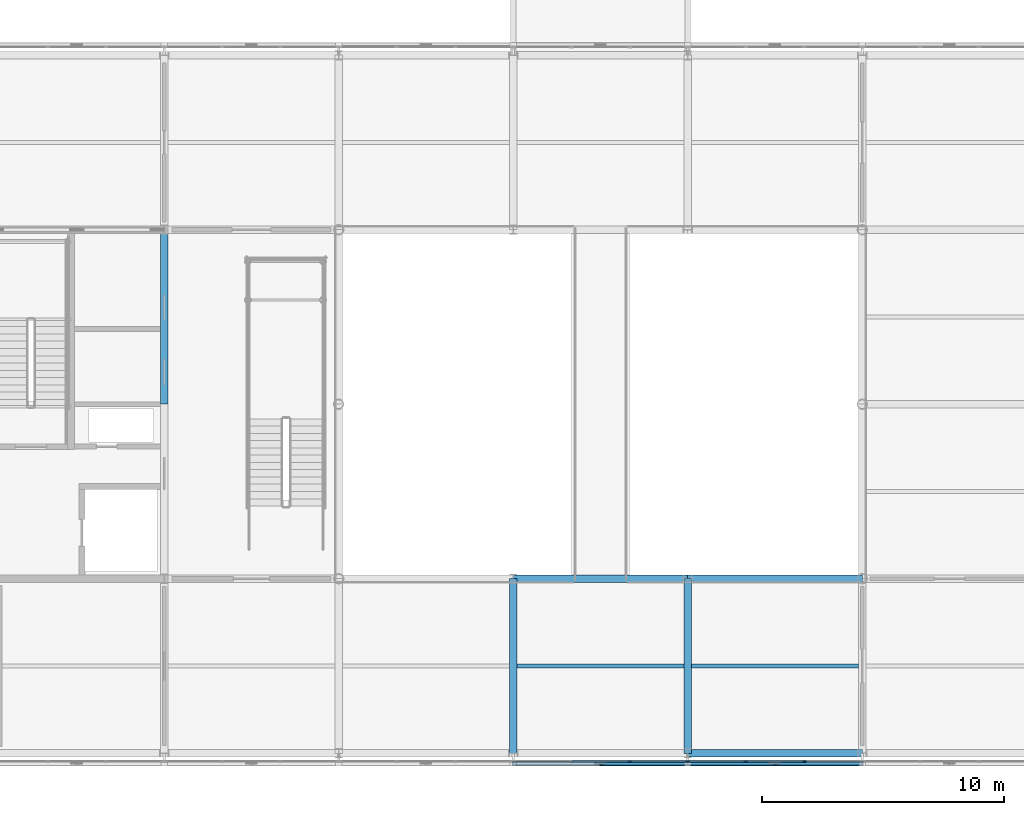
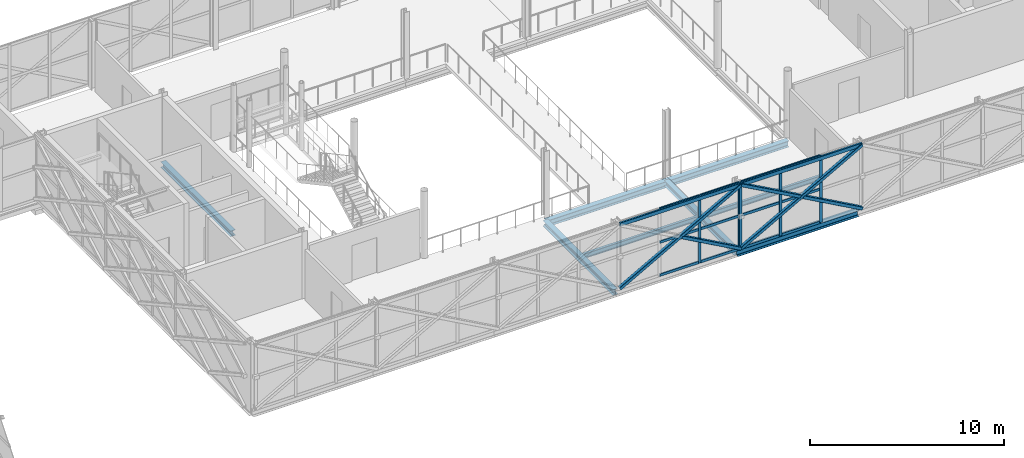
# One storey, part 32 of 126: 24 members, 8 beams, 2 elements without a shape of their own.
"""IFC4 building model written with IfcOpenShell, lengths in metres."""

from ifc_helpers import new_model, si_unit, direction, frame, origin, origin_2d, place, context, subcontext, project, spatial, rectangle, hollow_rectangle, i_section, extrude, material, material_profile, profile_set, type_object, element, aggregate, save


model = new_model("IFC4")

# Units and contexts
model_context = context("Model", 3, precision=1e-05, world=origin(), true_north=direction((0.0, 1.0)))
body_context = subcontext(model_context, "Body", "Model", "MODEL_VIEW")
ifc_project = project(units=[si_unit("LENGTHUNIT", "METRE"), si_unit("AREAUNIT", "SQUARE_METRE"), si_unit("VOLUMEUNIT", "CUBIC_METRE"), si_unit("PLANEANGLEUNIT", "RADIAN"), si_unit("MASSUNIT", "GRAM", prefix="KILO")], contexts=[model_context])

# Site, building, storey
site_placement = place(None, origin())
site = spatial("IfcSite", under=ifc_project, at=site_placement, CompositionType="ELEMENT")
building_placement = place(site_placement, origin())
building = spatial("IfcBuilding", under=site, at=building_placement, Name="Zlatovets Crest Museum", CompositionType="ELEMENT")
storey_placement = place(building_placement, frame((0.0, 0.0, 8.699951171875)))
storey = spatial("IfcBuildingStorey", under=building, at=storey_placement, Name="L02", CompositionType="ELEMENT", Elevation=8.699951171875)

# Beams
ifc_material_1 = material(Name="Structural steel S355J2", Category="steel")
ifc_material_profile_1 = material_profile(ifc_material_1, i_section(OverallWidth=0.300048828125, OverallDepth=0.389892578125, WebThickness=0.010986328125, FlangeThickness=0.01904296875, FilletRadius=0.027099609375, at=origin_2d()), Name="HEA 400")
ifc_profile_set_1 = profile_set([ifc_material_profile_1], Name="Structural steel S355J2")
beam_type_1 = type_object("IfcBeamType", Name="Beam_B-02", PredefinedType="BEAM", material=ifc_profile_set_1)
beam_1_placement = place(storey_placement, frame((86.39990234375, 0.0, -0.4150390625), z_axis=(1.0, 0.0, 0.0), x_axis=(0.0, 1.0, 0.0)))
element("IfcBeam", 1, at=beam_1_placement, inside=storey, type_object=beam_type_1, Name="V2 L02 Primary Girder B-02", PredefinedType="BEAM", context=body_context, shape_type="SweptSolid", body=[
    extrude(i_section(OverallWidth=0.300048828125, OverallDepth=0.389892578125, WebThickness=0.010986328125, FlangeThickness=0.01904296875, FilletRadius=0.027099609375, at=origin_2d()), origin(), (0.0, 0.0, 1.0), 7.2001953125),
])
beam_2_placement = place(storey_placement, frame((79.199951171875, 7.199951171875, -0.4150390625), z_axis=(1.0, 0.0, 0.0), x_axis=(0.0, 1.0, 0.0)))
element("IfcBeam", 2, at=beam_2_placement, inside=storey, type_object=beam_type_1, Name="V2 L02 Primary Girder B-02", PredefinedType="BEAM", context=body_context, shape_type="SweptSolid", body=[
    extrude(i_section(OverallWidth=0.300048828125, OverallDepth=0.389892578125, WebThickness=0.010986328125, FlangeThickness=0.01904296875, FilletRadius=0.027099609375, at=origin_2d()), origin(), (0.0, 0.0, 1.0), 7.199951171875),
])
beam_3_placement = place(storey_placement, frame((86.39990234375, 7.199951171875, -0.4150390625), z_axis=(1.0, 0.0, 0.0), x_axis=(0.0, 1.0, 0.0)))
element("IfcBeam", 3, at=beam_3_placement, inside=storey, type_object=beam_type_1, Name="V2 L02 Primary Girder B-02", PredefinedType="BEAM", context=body_context, shape_type="SweptSolid", body=[
    extrude(i_section(OverallWidth=0.300048828125, OverallDepth=0.389892578125, WebThickness=0.010986328125, FlangeThickness=0.01904296875, FilletRadius=0.027099609375, at=origin_2d()), origin(), (0.0, 0.0, 1.0), 7.2001953125),
])
ifc_material_profile_2 = material_profile(ifc_material_1, i_section(OverallWidth=0.300048828125, OverallDepth=0.35009765625, WebThickness=0.010009765625, FlangeThickness=0.017578125, FilletRadius=0.027099609375, at=origin_2d()), Name="HEA 360")
ifc_profile_set_2 = profile_set([ifc_material_profile_2], Name="Structural steel S355J2")
beam_type_2 = type_object("IfcBeamType", Name="Beam_B-03", PredefinedType="BEAM", material=ifc_profile_set_2)
beam_4_placement = place(storey_placement, frame((64.800048828125, 14.39990234375, -0.39501953125), z_axis=(0.0, 1.0, 0.0), x_axis=(-1.0, 0.0, 0.0)))
element("IfcBeam", 4, at=beam_4_placement, inside=storey, type_object=beam_type_2, Name="V2 L02 Grid Beam B-03", PredefinedType="BEAM", context=body_context, shape_type="SweptSolid", body=[
    extrude(i_section(OverallWidth=0.300048828125, OverallDepth=0.35009765625, WebThickness=0.010009765625, FlangeThickness=0.017578125, FilletRadius=0.027099609375, at=origin_2d()), origin(), (0.0, 0.0, 1.0), 7.2001953125),
])
for number, where, z_axis, x_axis, name in (
    (5, (79.199951171875, 0.0, -0.39501953125), (0.0, 1.0, 0.0), (-1.0, 0.0, 0.0), "V2 L02 Grid Beam B-03"),
    (6, (86.39990234375, 0.0, -0.39501953125), (0.0, 1.0, 0.0), (-1.0, 0.0, 0.0), "V2 L02 Grid Beam B-03"),
):
    element("IfcBeam", number, at=place(storey_placement, frame(where, z_axis=z_axis, x_axis=x_axis)), inside=storey, type_object=beam_type_2, Name=name, PredefinedType="BEAM", context=body_context, shape_type="SweptSolid", body=[
        extrude(i_section(OverallWidth=0.300048828125, OverallDepth=0.35009765625, WebThickness=0.010009765625, FlangeThickness=0.017578125, FilletRadius=0.027099609375, at=origin_2d()), origin(), (0.0, 0.0, 1.0), 7.199951171875),
    ])
ifc_material_profile_3 = material_profile(ifc_material_1, i_section(OverallWidth=0.14990234375, OverallDepth=0.300048828125, WebThickness=0.007080078125, FlangeThickness=0.0107421875, FilletRadius=0.014892578125, at=origin_2d()), Name="IPE 300")
ifc_profile_set_3 = profile_set([ifc_material_profile_3], Name="Structural steel S355J2")
beam_type_3 = type_object("IfcBeamType", Name="Beam_J-02", PredefinedType="JOIST", material=ifc_profile_set_3)
for number, where, z_axis, x_axis, name in (
    (7, (79.35009765625, 3.60009765625, -0.369873046875), (1.0, 0.0, 0.0), (0.0, 1.0, 0.0), "V2 L02 Composite Joist J-02"),
    (8, (86.550048828125, 3.60009765625, -0.369873046875), (1.0, 0.0, 0.0), (0.0, 1.0, 0.0), "V2 L02 Composite Joist J-02"),
):
    element("IfcBeam", number, at=place(storey_placement, frame(where, z_axis=z_axis, x_axis=x_axis)), inside=storey, type_object=beam_type_3, Name=name, PredefinedType="JOIST", context=body_context, shape_type="SweptSolid", body=[
        extrude(i_section(OverallWidth=0.14990234375, OverallDepth=0.300048828125, WebThickness=0.007080078125, FlangeThickness=0.0107421875, FilletRadius=0.014892578125, at=origin_2d()), origin(), (0.0, 0.0, 1.0), 6.89990234375),
    ])

# Curtain wall, members
ifc_material_2 = material(Name="Bronze-anodised aluminium and low-E triple glass", Category="aluminium")
curtain_wall_type_1 = type_object("IfcCurtainWallType", Name="CW_CW-V2-L02-M3", PredefinedType="NOTDEFINED", material=ifc_material_2)
curtain_wall_1_placement = place(storey_placement, origin())
curtain_wall_1 = element("IfcCurtainWall", 9, at=curtain_wall_1_placement, inside=storey, type_object=curtain_wall_type_1, Name="V2 L02 Secession Foyer Clear Curtain Wall", PredefinedType="NOTDEFINED")
ifc_material_3 = material(Name="Bronze-anodised aluminium EN AW-6060", Category="aluminium")
ifc_material_profile_4 = material_profile(ifc_material_3, rectangle(XDim=0.080078125, YDim=0.159912109375, at=origin_2d()), Name="ALU 80x160")
ifc_profile_set_4 = profile_set([ifc_material_profile_4], Name="Bronze-anodised aluminium EN AW-6060")
member_type_1 = type_object("IfcMemberType", Name="CWMull_M1", PredefinedType="MULLION", material=ifc_profile_set_4)
member_1_placement = place(storey_placement, frame((84.0, -0.340087890625, 0.0), z_axis=(0.0, 0.0, 1.0), x_axis=(0.0, 1.0, 0.0)))
member_1 = element("IfcMember", 10, at=member_1_placement, type_object=member_type_1, Name="CW-V2-L02-M3 mullion 3", PredefinedType="MULLION", context=body_context, shape_type="SweptSolid", body=[
    extrude(rectangle(XDim=0.080078125, YDim=0.159912109375, at=origin_2d()), origin(), (0.0, 0.0, 1.0), 4.199951171875),
])
member_2_placement = place(storey_placement, frame((86.3701171875, -0.340087890625, 0.0), z_axis=(0.0, 0.0, 1.0), x_axis=(0.0, 1.0, 0.0)))
member_2 = element("IfcMember", 11, at=member_2_placement, type_object=member_type_1, Name="CW-V2-L02-M3 mullion 4", PredefinedType="MULLION", context=body_context, shape_type="SweptSolid", body=[
    extrude(rectangle(XDim=0.080078125, YDim=0.159912109375, at=origin_2d()), origin(), (0.0, 0.0, 1.0), 4.199951171875),
])

curtain_wall_type_2 = type_object("IfcCurtainWallType", Name="CW_CW-V2-L02-M0", PredefinedType="NOTDEFINED", material=ifc_material_2)
curtain_wall_2_placement = place(storey_placement, origin())
curtain_wall_2 = element("IfcCurtainWall", 12, at=curtain_wall_2_placement, inside=storey, type_object=curtain_wall_type_2, Name="V2 L02 Secession Foyer Clear Curtain Wall", PredefinedType="NOTDEFINED")
member_3_placement = place(storey_placement, frame((86.429931640625, -0.340087890625, 0.0), z_axis=(0.0, 0.0, 1.0), x_axis=(0.0, 1.0, 0.0)))
member_3 = element("IfcMember", 13, at=member_3_placement, type_object=member_type_1, Name="CW-V2-L02-M0 mullion 1", PredefinedType="MULLION", context=body_context, shape_type="SweptSolid", body=[
    extrude(rectangle(XDim=0.080078125, YDim=0.159912109375, at=origin_2d()), origin(), (0.0, 0.0, 1.0), 4.199951171875),
])
member_4_placement = place(storey_placement, frame((88.800048828125, -0.340087890625, 0.0), z_axis=(0.0, 0.0, 1.0), x_axis=(0.0, 1.0, 0.0)))
member_4 = element("IfcMember", 14, at=member_4_placement, type_object=member_type_1, Name="CW-V2-L02-M0 mullion 2", PredefinedType="MULLION", context=body_context, shape_type="SweptSolid", body=[
    extrude(rectangle(XDim=0.080078125, YDim=0.159912109375, at=origin_2d()), origin(), (0.0, 0.0, 1.0), 4.199951171875),
])
member_5_placement = place(storey_placement, frame((91.199951171875, -0.340087890625, 0.0), z_axis=(0.0, 0.0, 1.0), x_axis=(0.0, 1.0, 0.0)))
member_5 = element("IfcMember", 15, at=member_5_placement, type_object=member_type_1, Name="CW-V2-L02-M0 mullion 3", PredefinedType="MULLION", context=body_context, shape_type="SweptSolid", body=[
    extrude(rectangle(XDim=0.080078125, YDim=0.159912109375, at=origin_2d()), origin(), (0.0, 0.0, 1.0), 4.199951171875),
])

# Member
ifc_material_profile_5 = material_profile(ifc_material_3, rectangle(XDim=0.080078125, YDim=0.159912109375, at=origin_2d()), Name="ALU 80x160")
ifc_profile_set_5 = profile_set([ifc_material_profile_5], Name="Bronze-anodised aluminium EN AW-6060")
member_type_2 = type_object("IfcMemberType", Name="CWTrans_T1", PredefinedType="USERDEFINED", material=ifc_profile_set_5)
member_6_placement = place(storey_placement, frame((81.6298828125, -0.340087890625, 0.030029296875), z_axis=(1.0, 0.0, 0.0), x_axis=(0.0, 1.0, 0.0)))
member_6 = element("IfcMember", 16, at=member_6_placement, type_object=member_type_2, Name="CW-V2-L02-M3 transom 2.1", ObjectType="TRANSOM", PredefinedType="USERDEFINED", context=body_context, shape_type="SweptSolid", body=[
    extrude(rectangle(XDim=0.080078125, YDim=0.159912109375, at=origin_2d()), origin(), (0.0, 0.0, 1.0), 2.340087890625),
])

member_7_placement = place(storey_placement, frame((81.6298828125, -0.340087890625, 2.10009765625), z_axis=(1.0, 0.0, 0.0), x_axis=(0.0, 1.0, 0.0)))
member_7 = element("IfcMember", 17, at=member_7_placement, type_object=member_type_2, Name="CW-V2-L02-M3 transom 2.2", ObjectType="TRANSOM", PredefinedType="USERDEFINED", context=body_context, shape_type="SweptSolid", body=[
    extrude(rectangle(XDim=0.080078125, YDim=0.159912109375, at=origin_2d()), origin(), (0.0, 0.0, 1.0), 2.340087890625),
])

member_8_placement = place(storey_placement, frame((81.6298828125, -0.340087890625, 4.170166015625), z_axis=(1.0, 0.0, 0.0), x_axis=(0.0, 1.0, 0.0)))
member_8 = element("IfcMember", 18, at=member_8_placement, type_object=member_type_2, Name="CW-V2-L02-M3 transom 2.3", ObjectType="TRANSOM", PredefinedType="USERDEFINED", context=body_context, shape_type="SweptSolid", body=[
    extrude(rectangle(XDim=0.080078125, YDim=0.159912109375, at=origin_2d()), origin(), (0.0, 0.0, 1.0), 2.340087890625),
])

member_9_placement = place(storey_placement, frame((84.030029296875, -0.340087890625, 0.030029296875), z_axis=(1.0, 0.0, 0.0), x_axis=(0.0, 1.0, 0.0)))
member_9 = element("IfcMember", 19, at=member_9_placement, type_object=member_type_2, Name="CW-V2-L02-M3 transom 3.1", ObjectType="TRANSOM", PredefinedType="USERDEFINED", context=body_context, shape_type="SweptSolid", body=[
    extrude(rectangle(XDim=0.080078125, YDim=0.159912109375, at=origin_2d()), origin(), (0.0, 0.0, 1.0), 2.31005859375),
])

member_10_placement = place(storey_placement, frame((84.030029296875, -0.340087890625, 2.10009765625), z_axis=(1.0, 0.0, 0.0), x_axis=(0.0, 1.0, 0.0)))
member_10 = element("IfcMember", 20, at=member_10_placement, type_object=member_type_2, Name="CW-V2-L02-M3 transom 3.2", ObjectType="TRANSOM", PredefinedType="USERDEFINED", context=body_context, shape_type="SweptSolid", body=[
    extrude(rectangle(XDim=0.080078125, YDim=0.159912109375, at=origin_2d()), origin(), (0.0, 0.0, 1.0), 2.31005859375),
])

member_11_placement = place(storey_placement, frame((84.030029296875, -0.340087890625, 4.170166015625), z_axis=(1.0, 0.0, 0.0), x_axis=(0.0, 1.0, 0.0)))
member_11 = element("IfcMember", 21, at=member_11_placement, type_object=member_type_2, Name="CW-V2-L02-M3 transom 3.3", ObjectType="TRANSOM", PredefinedType="USERDEFINED", context=body_context, shape_type="SweptSolid", body=[
    extrude(rectangle(XDim=0.080078125, YDim=0.159912109375, at=origin_2d()), origin(), (0.0, 0.0, 1.0), 2.31005859375),
])

aggregate(curtain_wall_1, [member_1, member_2, member_6, member_7, member_8, member_9, member_10, member_11])

member_12_placement = place(storey_placement, frame((86.4599609375, -0.340087890625, 0.030029296875), z_axis=(1.0, 0.0, 0.0), x_axis=(0.0, 1.0, 0.0)))
member_12 = element("IfcMember", 22, at=member_12_placement, type_object=member_type_2, Name="CW-V2-L02-M0 transom 1.1", ObjectType="TRANSOM", PredefinedType="USERDEFINED", context=body_context, shape_type="SweptSolid", body=[
    extrude(rectangle(XDim=0.080078125, YDim=0.159912109375, at=origin_2d()), origin(), (0.0, 0.0, 1.0), 2.31005859375),
])

member_13_placement = place(storey_placement, frame((86.4599609375, -0.340087890625, 2.10009765625), z_axis=(1.0, 0.0, 0.0), x_axis=(0.0, 1.0, 0.0)))
member_13 = element("IfcMember", 23, at=member_13_placement, type_object=member_type_2, Name="CW-V2-L02-M0 transom 1.2", ObjectType="TRANSOM", PredefinedType="USERDEFINED", context=body_context, shape_type="SweptSolid", body=[
    extrude(rectangle(XDim=0.080078125, YDim=0.159912109375, at=origin_2d()), origin(), (0.0, 0.0, 1.0), 2.31005859375),
])

member_14_placement = place(storey_placement, frame((86.4599609375, -0.340087890625, 4.170166015625), z_axis=(1.0, 0.0, 0.0), x_axis=(0.0, 1.0, 0.0)))
member_14 = element("IfcMember", 24, at=member_14_placement, type_object=member_type_2, Name="CW-V2-L02-M0 transom 1.3", ObjectType="TRANSOM", PredefinedType="USERDEFINED", context=body_context, shape_type="SweptSolid", body=[
    extrude(rectangle(XDim=0.080078125, YDim=0.159912109375, at=origin_2d()), origin(), (0.0, 0.0, 1.0), 2.31005859375),
])

member_15_placement = place(storey_placement, frame((88.830078125, -0.340087890625, 0.030029296875), z_axis=(1.0, 0.0, 0.0), x_axis=(0.0, 1.0, 0.0)))
member_15 = element("IfcMember", 25, at=member_15_placement, type_object=member_type_2, Name="CW-V2-L02-M0 transom 2.1", ObjectType="TRANSOM", PredefinedType="USERDEFINED", context=body_context, shape_type="SweptSolid", body=[
    extrude(rectangle(XDim=0.080078125, YDim=0.159912109375, at=origin_2d()), origin(), (0.0, 0.0, 1.0), 2.33984375),
])

member_16_placement = place(storey_placement, frame((88.830078125, -0.340087890625, 2.10009765625), z_axis=(1.0, 0.0, 0.0), x_axis=(0.0, 1.0, 0.0)))
member_16 = element("IfcMember", 26, at=member_16_placement, type_object=member_type_2, Name="CW-V2-L02-M0 transom 2.2", ObjectType="TRANSOM", PredefinedType="USERDEFINED", context=body_context, shape_type="SweptSolid", body=[
    extrude(rectangle(XDim=0.080078125, YDim=0.159912109375, at=origin_2d()), origin(), (0.0, 0.0, 1.0), 2.33984375),
])

member_17_placement = place(storey_placement, frame((88.830078125, -0.340087890625, 4.170166015625), z_axis=(1.0, 0.0, 0.0), x_axis=(0.0, 1.0, 0.0)))
member_17 = element("IfcMember", 27, at=member_17_placement, type_object=member_type_2, Name="CW-V2-L02-M0 transom 2.3", ObjectType="TRANSOM", PredefinedType="USERDEFINED", context=body_context, shape_type="SweptSolid", body=[
    extrude(rectangle(XDim=0.080078125, YDim=0.159912109375, at=origin_2d()), origin(), (0.0, 0.0, 1.0), 2.33984375),
])

aggregate(curtain_wall_2, [member_3, member_4, member_5, member_12, member_13, member_14, member_15, member_16, member_17])

# Members
ifc_material_4 = material(Name="Weathering bronze-steel S355J2W", Category="steel")
ifc_material_profile_6 = material_profile(ifc_material_4, hollow_rectangle(XDim=0.199951171875, YDim=0.199951171875, WallThickness=0.012451171875, InnerFilletRadius=0.012451171875, OuterFilletRadius=0.02490234375, at=origin_2d()), Name="SHS 200x200x12.5")
ifc_profile_set_6 = profile_set([ifc_material_profile_6], Name="Weathering bronze-steel S355J2W")
member_type_3 = type_object("IfcMemberType", Name="Lattice_XL-02", PredefinedType="BRACE", material=ifc_profile_set_6)
member_18_placement = place(storey_placement, frame((79.199951171875, -0.419921875, 0.10009765625), z_axis=(0.874155877937, 0.0, 0.485645447903), x_axis=(0.0, 1.0, 0.0)))
element("IfcMember", 28, at=member_18_placement, inside=storey, type_object=member_type_3, Name="Continuous Bronze Lattice Diagonal", PredefinedType="BRACE", context=body_context, shape_type="SweptSolid", body=[
    extrude(hollow_rectangle(XDim=0.199951171875, YDim=0.199951171875, WallThickness=0.012451171875, InnerFilletRadius=0.012451171875, OuterFilletRadius=0.02490234375, at=origin_2d()), origin(), (0.0, 0.0, 1.0), 8.236572265625),
])
member_19_placement = place(storey_placement, frame((82.883056640625, -0.419921875, 2.053955078125), z_axis=(0.874151551165, 0.0, -0.485653235958), x_axis=(0.0, 1.0, 0.0)))
element("IfcMember", 29, at=member_19_placement, inside=storey, type_object=member_type_3, Name="Split Crossing Bronze Lattice Diagonal Lower", PredefinedType="BRACE", context=body_context, shape_type="SweptSolid", body=[
    extrude(hollow_rectangle(XDim=0.199951171875, YDim=0.199951171875, WallThickness=0.012451171875, InnerFilletRadius=0.012451171875, OuterFilletRadius=0.02490234375, at=origin_2d()), origin(), (0.0, 0.0, 1.0), 4.023193359375),
])
member_20_placement = place(storey_placement, frame((86.39990234375, -0.419921875, 0.10009765625), z_axis=(0.874162868644, 0.0, 0.485632864501), x_axis=(0.0, 1.0, 0.0)))
element("IfcMember", 30, at=member_20_placement, inside=storey, type_object=member_type_3, Name="Continuous Bronze Lattice Diagonal", PredefinedType="BRACE", context=body_context, shape_type="SweptSolid", body=[
    extrude(hollow_rectangle(XDim=0.199951171875, YDim=0.199951171875, WallThickness=0.012451171875, InnerFilletRadius=0.012451171875, OuterFilletRadius=0.02490234375, at=origin_2d()), origin(), (0.0, 0.0, 1.0), 8.236572265625),
])
for number, where, z_axis, x_axis, name in (
    (31, (86.39990234375, -0.419921875, 4.10009765625), (0.874165862873, 0.0, -0.485627474703), (0.0, 1.0, 0.0), "Split Crossing Bronze Lattice Diagonal Upper"),
    (32, (90.0830078125, -0.419921875, 2.053955078125), (0.874165862873, 0.0, -0.485627474703), (0.0, 1.0, 0.0), "Split Crossing Bronze Lattice Diagonal Lower"),
):
    element("IfcMember", number, at=place(storey_placement, frame(where, z_axis=z_axis, x_axis=x_axis)), inside=storey, type_object=member_type_3, Name=name, PredefinedType="BRACE", context=body_context, shape_type="SweptSolid", body=[
        extrude(hollow_rectangle(XDim=0.199951171875, YDim=0.199951171875, WallThickness=0.012451171875, InnerFilletRadius=0.012451171875, OuterFilletRadius=0.02490234375, at=origin_2d()), origin(), (0.0, 0.0, 1.0), 4.0234375),
    ])
ifc_material_profile_7 = material_profile(ifc_material_4, hollow_rectangle(XDim=0.1201171875, YDim=0.239990234375, WallThickness=0.010009765625, InnerFilletRadius=0.010009765625, OuterFilletRadius=0.02001953125, at=origin_2d()), Name="RHS 120x240x10.0")
ifc_profile_set_7 = profile_set([ifc_material_profile_7], Name="Weathering bronze-steel S355J2W")
member_type_4 = type_object("IfcMemberType", Name="Lattice_XL-04", PredefinedType="CHORD", material=ifc_profile_set_7)
member_21_placement = place(storey_placement, frame((79.199951171875, -0.419921875, 4.10009765625), z_axis=(1.0, 0.0, 0.0), x_axis=(0.0, 1.0, 0.0)))
element("IfcMember", 33, at=member_21_placement, inside=storey, type_object=member_type_4, Name="Art Nouveau Woven Cage Collector Ring Chord", PredefinedType="CHORD", context=body_context, shape_type="SweptSolid", body=[
    extrude(hollow_rectangle(XDim=0.1201171875, YDim=0.239990234375, WallThickness=0.010009765625, InnerFilletRadius=0.010009765625, OuterFilletRadius=0.02001953125, at=origin_2d()), origin(), (0.0, 0.0, 1.0), 7.199951171875),
])
member_22_placement = place(storey_placement, frame((86.39990234375, -0.419921875, 4.10009765625), z_axis=(1.0, 0.0, 0.0), x_axis=(0.0, 1.0, 0.0)))
element("IfcMember", 34, at=member_22_placement, inside=storey, type_object=member_type_4, Name="Art Nouveau Woven Cage Collector Ring Chord", PredefinedType="CHORD", context=body_context, shape_type="SweptSolid", body=[
    extrude(hollow_rectangle(XDim=0.1201171875, YDim=0.239990234375, WallThickness=0.010009765625, InnerFilletRadius=0.010009765625, OuterFilletRadius=0.02001953125, at=origin_2d()), origin(), (0.0, 0.0, 1.0), 7.2001953125),
])

save(model, "model.ifc")
